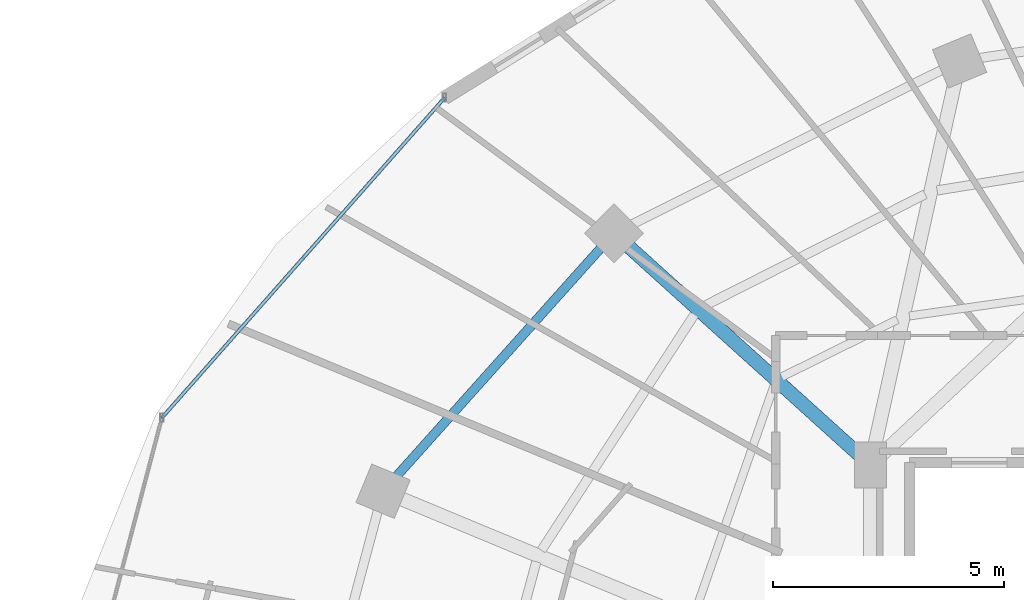
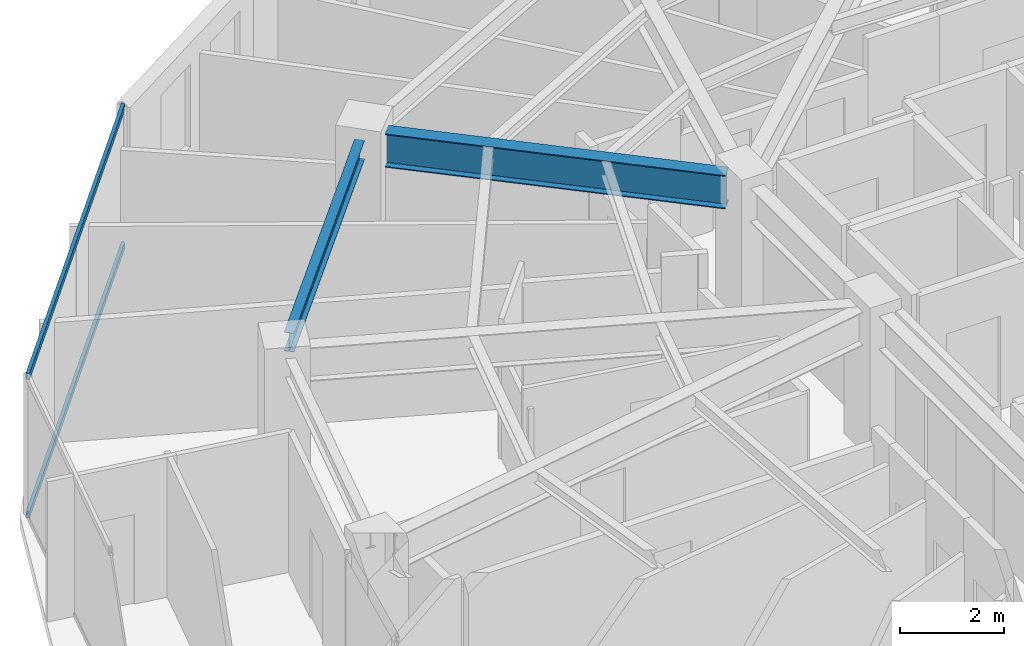
# One storey, part 16 of 33: 2 beams, 2 members, 1 element without a shape of its own.
"""IFC4 building model written with IfcOpenShell, lengths in metres."""

from ifc_helpers import new_model, si_unit, direction, frame, origin, origin_2d, place, context, subcontext, project, spatial, hollow_rectangle, i_section, extrude, material, material_profile, profile_set, type_object, element, aggregate, save


model = new_model("IFC4")

# Units and contexts
model_context = context("Model", 3, precision=1e-05, world=origin(), true_north=direction((0.0, 1.0)))
body_context = subcontext(model_context, "Body", "Model", "MODEL_VIEW")
ifc_project = project(units=[si_unit("LENGTHUNIT", "METRE"), si_unit("AREAUNIT", "SQUARE_METRE"), si_unit("VOLUMEUNIT", "CUBIC_METRE"), si_unit("PLANEANGLEUNIT", "RADIAN"), si_unit("MASSUNIT", "GRAM", prefix="KILO")], contexts=[model_context])

# Site, building, storey
site_placement = place(None, origin())
site = spatial("IfcSite", under=ifc_project, at=site_placement, CompositionType="ELEMENT")
building_placement = place(site_placement, origin())
building = spatial("IfcBuilding", under=site, at=building_placement, Name="Vorneva Point Tower", CompositionType="ELEMENT")
storey_placement = place(building_placement, frame((0.0, 0.0, 217.85009765625)))
storey = spatial("IfcBuildingStorey", under=building, at=storey_placement, Name="L59", CompositionType="ELEMENT", Elevation=217.85009765625)

# Beams
ifc_material_1 = material(Name="Steel S355", Category="steel")
ifc_material_profile_1 = material_profile(ifc_material_1, i_section(OverallWidth=0.300048828125, OverallDepth=0.7880859375, WebThickness=0.014404296875, FlangeThickness=0.02197265625, at=origin_2d()), Name="80Sh1")
ifc_profile_set_1 = profile_set([ifc_material_profile_1], Name="Steel S355")
beam_type_1 = type_object("IfcBeamType", Name="BM-GRD-80Sh1", PredefinedType="USERDEFINED", material=ifc_profile_set_1)
beam_1_placement = place(storey_placement, frame((22.026123046875, 37.86865234375, 2.89599609375), z_axis=(0.742089778537, -0.670300500217, 0.0), x_axis=(0.670300500217, 0.742089778537, 0.0)))
element("IfcBeam", 1, at=beam_1_placement, inside=storey, type_object=beam_type_1, Name="L59 Radial Primary Girder 07", ObjectType="GIRDER", PredefinedType="USERDEFINED", context=body_context, shape_type="SweptSolid", body=[
    extrude(i_section(OverallWidth=0.300048828125, OverallDepth=0.7880859375, WebThickness=0.014404296875, FlangeThickness=0.02197265625, at=origin_2d()), origin(), (0.0, 0.0, 1.0), 6.699462890625),
])
ifc_material_profile_2 = material_profile(ifc_material_1, i_section(OverallWidth=0.198974609375, OverallDepth=0.446044921875, WebThickness=0.008056640625, FlangeThickness=0.011962890625, at=origin_2d()), Name="45B1")
ifc_profile_set_2 = profile_set([ifc_material_profile_2], Name="Steel S355")
beam_type_2 = type_object("IfcBeamType", Name="BM-SPN-45B1", PredefinedType="SPANDREL", material=ifc_profile_set_2)
beam_2_placement = place(storey_placement, frame((21.410888671875, 37.838134765625, 3.06689453125), z_axis=(-0.66706970547, -0.744995307397, 0.0), x_axis=(0.744995307397, -0.66706970547, 0.0)))
element("IfcBeam", 2, at=beam_2_placement, inside=storey, type_object=beam_type_2, Name="L59 Perimeter Spandrel Ring Beam 07", PredefinedType="SPANDREL", context=body_context, shape_type="SweptSolid", body=[
    extrude(i_section(OverallWidth=0.198974609375, OverallDepth=0.446044921875, WebThickness=0.008056640625, FlangeThickness=0.011962890625, at=origin_2d()), origin(), (0.0, 0.0, 1.0), 6.6201171875),
])

# Curtain wall, members
ifc_material_2 = material(Name="Pale anodised aluminium", Category="aluminium")
curtain_wall_type = type_object("IfcCurtainWallType", Name="CW-RES-SYS", PredefinedType="NOTDEFINED", material=ifc_material_2)
curtain_wall_placement = place(storey_placement, origin())
curtain_wall = element("IfcCurtainWall", 3, at=curtain_wall_placement, inside=storey, type_object=curtain_wall_type, Name="L59 Unitised Curtain Wall CW-L59-R02", PredefinedType="NOTDEFINED")
ifc_material_profile_3 = material_profile(ifc_material_2, hollow_rectangle(XDim=0.074951171875, YDim=0.14990234375, WallThickness=0.00390625, at=origin_2d()), Name="AL-TRN 150x75x4")
ifc_profile_set_3 = profile_set([ifc_material_profile_3], Name="Pale anodised aluminium")
member_type = type_object("IfcMemberType", Name="CW-TRN-150", PredefinedType="USERDEFINED", material=ifc_profile_set_3)
member_1_placement = place(storey_placement, frame((18.038330078125, 41.0966796875, 0.02001953125), z_axis=(-0.662106383869, -0.749409858782, 0.0), x_axis=(0.749409858782, -0.662106383869, 0.0)))
member_1 = element("IfcMember", 4, at=member_1_placement, type_object=member_type, Name="CW-L59-R02 Transom 01.1", ObjectType="TRANSOM", PredefinedType="USERDEFINED", context=body_context, shape_type="SweptSolid", body=[
    extrude(hollow_rectangle(XDim=0.074951171875, YDim=0.14990234375, WallThickness=0.00390625, at=origin_2d()), origin(), (0.0, 0.0, 1.0), 9.2421875),
])
member_2_placement = place(storey_placement, frame((18.038330078125, 41.0966796875, 3.27001953125), z_axis=(-0.662106383869, -0.749409858782, 0.0), x_axis=(0.749409858782, -0.662106383869, 0.0)))
member_2 = element("IfcMember", 5, at=member_2_placement, type_object=member_type, Name="CW-L59-R02 Transom 01.2", ObjectType="TRANSOM", PredefinedType="USERDEFINED", context=body_context, shape_type="SweptSolid", body=[
    extrude(hollow_rectangle(XDim=0.074951171875, YDim=0.14990234375, WallThickness=0.00390625, at=origin_2d()), origin(), (0.0, 0.0, 1.0), 9.2421875),
])
aggregate(curtain_wall, [member_1, member_2])

save(model, "model.ifc")
